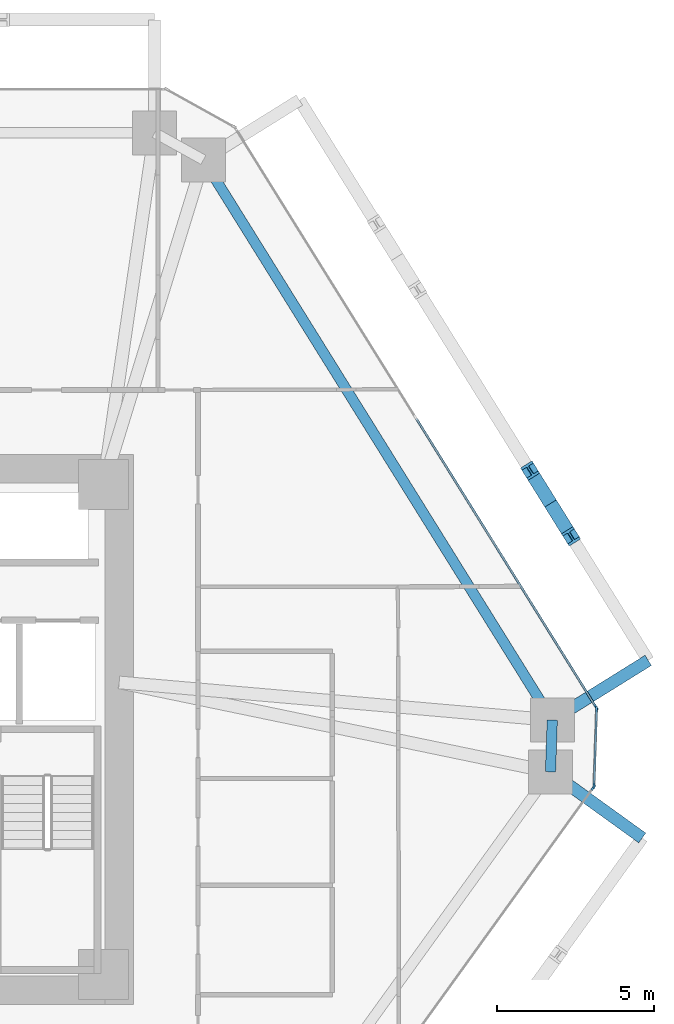
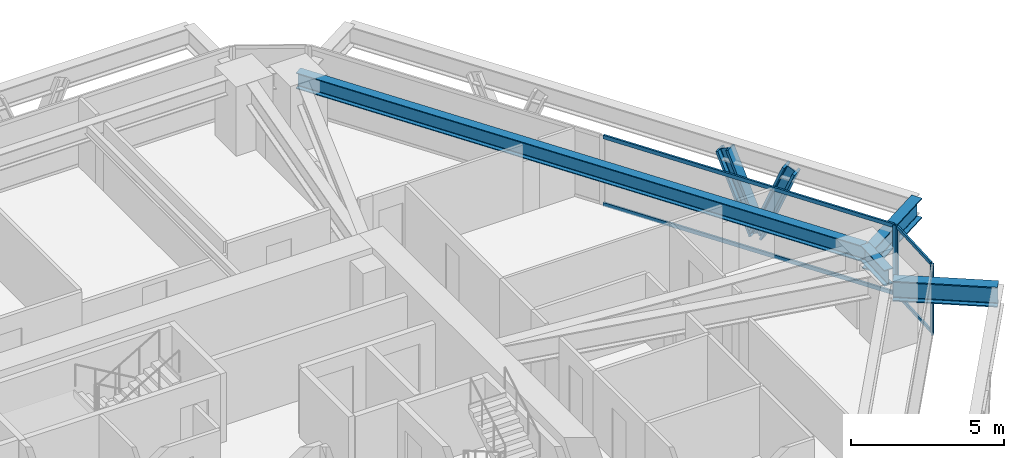
# One storey, part 6 of 15: 10 members, 4 beams, 3 elements without a shape of their own.
"""IFC4 building model written with IfcOpenShell, lengths in metres."""

from ifc_helpers import new_model, si_unit, direction, frame, origin, origin_2d, place, context, subcontext, project, spatial, rectangle, i_section, extrude, source, transform, mapped, material, layer, layer_set, material_profile, profile_set, type_object, type_shapes, element, aggregate, save


model = new_model("IFC4")

# Units and contexts
model_context = context("Model", 3, precision=1e-05, world=origin(), true_north=direction((0.0, 1.0)))
body_context = subcontext(model_context, "Body", "Model", "MODEL_VIEW")
ifc_project = project(units=[si_unit("LENGTHUNIT", "METRE"), si_unit("AREAUNIT", "SQUARE_METRE"), si_unit("VOLUMEUNIT", "CUBIC_METRE"), si_unit("PLANEANGLEUNIT", "RADIAN"), si_unit("MASSUNIT", "GRAM", prefix="KILO")], contexts=[model_context])

# Site, building, storey
site_placement = place(None, origin())
site = spatial("IfcSite", under=ifc_project, at=site_placement, CompositionType="ELEMENT")
building_placement = place(site_placement, origin())
building = spatial("IfcBuilding", under=site, at=building_placement, Name="Durnholm Broadcast Tower", CompositionType="ELEMENT")
storey_placement = place(building_placement, frame((0.0, 0.0, 75.300048828125)))
storey = spatial("IfcBuildingStorey", under=building, at=storey_placement, Name="L19", CompositionType="ELEMENT", Elevation=75.300048828125)

# Beams
ifc_material_1 = material(Name="Steel ASTM A992 Grade 50", Category="steel")
ifc_material_profile_1 = material_profile(ifc_material_1, i_section(OverallWidth=0.3291015625, OverallDepth=0.635009765625, WebThickness=0.017822265625, FlangeThickness=0.031005859375, FilletRadius=0.02783203125, at=origin_2d()), Name="W24X162")
ifc_profile_set_1 = profile_set([ifc_material_profile_1], Name="Steel ASTM A992 Grade 50")
beam_type_1 = type_object("IfcBeamType", Name="STL-SP-W24X162", PredefinedType="SPANDREL", material=ifc_profile_set_1)
shared_shape_1 = source(origin(), body_context, "Body", "SweptSolid", [
    extrude(i_section(OverallWidth=0.3291015625, OverallDepth=0.635009765625, WebThickness=0.017822265625, FlangeThickness=0.031005859375, FilletRadius=0.02783203125, at=origin_2d()), origin(), (0.0, 0.0, 1.0), 21.014404296875),
])
beam_1_placement = place(storey_placement, frame((12.982666015625, 18.138427734375, 2.427490234375), z_axis=(0.528595731543, -0.848873696491, 0.0), x_axis=(0.848873696491, 0.528595731543, 0.0)))
element("IfcBeam", 1, at=beam_1_placement, inside=storey, type_object=beam_type_1, Name="L19 perimeter spandrel girder 07", PredefinedType="SPANDREL", context=body_context, shape_type="MappedRepresentation", body=[
    mapped(shared_shape_1, transform((0.0, 0.0, 0.0), x_axis=(1.0, 0.0, 0.0), y_axis=(0.0, 1.0, 0.0), z_axis=(0.0, 0.0, 1.0), scale=1.0)),
])
shared_shape_2 = source(origin(), body_context, "Body", "SweptSolid", [
    extrude(i_section(OverallWidth=0.3291015625, OverallDepth=0.635009765625, WebThickness=0.017822265625, FlangeThickness=0.031005859375, FilletRadius=0.02783203125, at=origin_2d()), origin(), (0.0, 0.0, 1.0), 1.648193359375),
])
type_shapes(beam_type_1, [shared_shape_1, shared_shape_2])
beam_2_placement = place(storey_placement, frame((24.0908203125, 0.2998046875, 2.427490234375), z_axis=(-0.033921477804, -0.999424501072, 0.0), x_axis=(0.999424501072, -0.033921477804, 0.0)))
element("IfcBeam", 2, at=beam_2_placement, inside=storey, type_object=beam_type_1, Name="L19 perimeter spandrel girder 08", PredefinedType="SPANDREL", context=body_context, shape_type="MappedRepresentation", body=[
    mapped(shared_shape_2, transform((0.0, 0.0, 0.0), x_axis=(1.0, 0.0, 0.0), y_axis=(0.0, 1.0, 0.0), z_axis=(0.0, 0.0, 1.0), scale=1.0)),
])
ifc_material_profile_2 = material_profile(ifc_material_1, i_section(OverallWidth=0.385009765625, OverallDepth=0.802978515625, WebThickness=0.023681640625, FlangeThickness=0.0419921875, FilletRadius=0.032958984375, at=origin_2d()), Name="W30X261")
ifc_profile_set_2 = profile_set([ifc_material_profile_2], Name="Steel ASTM A992 Grade 50")
beam_type_2 = type_object("IfcBeamType", Name="BM-EXO-TIE", PredefinedType="USERDEFINED", material=ifc_profile_set_2)
shared_shape_3 = source(origin(), body_context, "Body", "SweptSolid", [
    extrude(i_section(OverallWidth=0.385009765625, OverallDepth=0.802978515625, WebThickness=0.023681640625, FlangeThickness=0.0419921875, FilletRadius=0.032958984375, at=origin_2d()), origin(), (0.0, 0.0, 1.0), 3.4560546875),
])
beam_3_placement = place(storey_placement, frame((24.212890625, 0.375732421875, 2.008544921875), z_axis=(0.848874183218, 0.528594949906, 0.0), x_axis=(-0.528594949906, 0.848874183218, 0.0)))
element("IfcBeam", 3, at=beam_3_placement, inside=storey, type_object=beam_type_2, Name="L19 exoskeleton stand-off tie bracket F3.1", ObjectType="GIRDER", PredefinedType="USERDEFINED", context=body_context, shape_type="MappedRepresentation", body=[
    mapped(shared_shape_3, transform((0.0, 0.0, 0.0), x_axis=(1.0, 0.0, 0.0), y_axis=(0.0, 1.0, 0.0), z_axis=(0.0, 0.0, 1.0), scale=1.0)),
])
shared_shape_4 = source(origin(), body_context, "Body", "SweptSolid", [
    extrude(i_section(OverallWidth=0.385009765625, OverallDepth=0.802978515625, WebThickness=0.023681640625, FlangeThickness=0.0419921875, FilletRadius=0.032958984375, at=origin_2d()), origin(), (0.0, 0.0, 1.0), 3.455810546875),
])
type_shapes(beam_type_2, [shared_shape_3, shared_shape_4])
beam_4_placement = place(storey_placement, frame((24.15185546875, -1.431396484375, 2.008544921875), z_axis=(0.811133512552, -0.584861030344, 0.0), x_axis=(0.584861030344, 0.811133512552, 0.0)))
element("IfcBeam", 4, at=beam_4_placement, inside=storey, type_object=beam_type_2, Name="L19 exoskeleton stand-off tie bracket F2.2", ObjectType="GIRDER", PredefinedType="USERDEFINED", context=body_context, shape_type="MappedRepresentation", body=[
    mapped(shared_shape_4, transform((0.0, 0.0, 0.0), x_axis=(1.0, 0.0, 0.0), y_axis=(0.0, 1.0, 0.0), z_axis=(0.0, 0.0, 1.0), scale=1.0)),
])

# Members
ifc_material_2 = material(Name="Steel ASTM A913 Grade 65", Category="steel")
ifc_material_profile_3 = material_profile(ifc_material_2, i_section(OverallWidth=0.43212890625, OverallDepth=0.497802734375, WebThickness=0.0556640625, FlangeThickness=0.0888671875, FilletRadius=0.030517578125, at=origin_2d()), Name="W14X500")
ifc_profile_set_3 = profile_set([ifc_material_profile_3], Name="Steel ASTM A913 Grade 65")
member_type_1 = type_object("IfcMemberType", Name="STL-DG-W14X500", PredefinedType="BRACE", material=ifc_profile_set_3)
shared_shape_5 = source(origin(), body_context, "Body", "SweptSolid", [
    extrude(i_section(OverallWidth=0.43212890625, OverallDepth=0.497802734375, WebThickness=0.0556640625, FlangeThickness=0.0888671875, FilletRadius=0.030517578125, at=origin_2d()), origin(), (0.0, 0.0, 1.0), 3.243896484375),
])
type_shapes(member_type_1, [shared_shape_5])
for number, where, z_axis, x_axis, name in (
    (5, (24.036376953125, 7.197509765625, -0.991455078125), (0.201102088214, -0.322877229954, 0.924828764958), (0.848819847179, 0.528682198523, 0.0), "L19 stand-off diagrid brace F3.D1.1"),
    (6, (24.036376953125, 7.197509765625, -0.991455078125), (-0.201029867597, 0.322882116058, 0.9248427604), (-0.848908635391, -0.528539618911, 0.0), "L19 stand-off diagrid brace F3.D1.2"),
):
    element("IfcMember", number, at=place(storey_placement, frame(where, z_axis=z_axis, x_axis=x_axis)), inside=storey, type_object=member_type_1, Name=name, PredefinedType="BRACE", context=body_context, shape_type="MappedRepresentation", body=[
        mapped(shared_shape_5, transform((0.0, 0.0, 0.0), x_axis=(1.0, 0.0, 0.0), y_axis=(0.0, 1.0, 0.0), z_axis=(0.0, 0.0, 1.0), scale=1.0)),
    ])

# Curtain wall, members
ifc_material_3 = material(Name="Aluminium and Solar Control IGU", Category="aluminium")
ifc_layer_1 = layer(ifc_material_3, 0.1650390625)
ifc_layer_set_1 = layer_set([ifc_layer_1], Name="Aluminium and Solar Control IGU")
curtain_wall_type_1 = type_object("IfcCurtainWallType", Name="CW-SYS-5", PredefinedType="NOTDEFINED", material=ifc_layer_set_1)
curtain_wall_1_placement = place(storey_placement, origin())
curtain_wall_1 = element("IfcCurtainWall", 7, at=curtain_wall_1_placement, inside=storey, type_object=curtain_wall_type_1, Name="L19 curtain wall CW-CORNER CW-L19-CRN-07", PredefinedType="NOTDEFINED")
ifc_material_4 = material(Name="Aluminium 6063-T6", Category="aluminium")
ifc_material_profile_4 = material_profile(ifc_material_4, rectangle(XDim=0.06494140625, YDim=0.1298828125, at=origin_2d()), Name="CWT65X130")
ifc_profile_set_4 = profile_set([ifc_material_profile_4], Name="Aluminium 6063-T6")
member_type_2 = type_object("IfcMemberType", Name="CW-SYS-5-TRN", PredefinedType="USERDEFINED", material=ifc_profile_set_4)
shared_shape_6 = source(origin(), body_context, "Body", "SweptSolid", [
    extrude(rectangle(XDim=0.06494140625, YDim=0.1298828125, at=origin_2d()), origin(), (0.0, 0.0, 1.0), 2.3701171875),
])
type_shapes(member_type_2, [shared_shape_6])
member_1_placement = place(storey_placement, frame((25.502197265625, 0.613037109375, 0.032470703125), z_axis=(-0.033788158898, -0.999429017148, 0.0), x_axis=(0.999429017148, -0.033788158898, 0.0)))
member_1 = element("IfcMember", 8, at=member_1_placement, type_object=member_type_2, Name="CW-CORNER transom 1.1", ObjectType="TRANSOM", PredefinedType="USERDEFINED", context=body_context, shape_type="MappedRepresentation", body=[
    mapped(shared_shape_6, transform((0.0, 0.0, 0.0), x_axis=(1.0, 0.0, 0.0), y_axis=(0.0, 1.0, 0.0), z_axis=(0.0, 0.0, 1.0), scale=1.0)),
])
member_2_placement = place(storey_placement, frame((25.502197265625, 0.613037109375, 2.7275390625), z_axis=(-0.033788158898, -0.999429017148, 0.0), x_axis=(0.999429017148, -0.033788158898, 0.0)))
member_2 = element("IfcMember", 9, at=member_2_placement, type_object=member_type_2, Name="CW-CORNER transom 1.2", ObjectType="TRANSOM", PredefinedType="USERDEFINED", context=body_context, shape_type="MappedRepresentation", body=[
    mapped(shared_shape_6, transform((0.0, 0.0, 0.0), x_axis=(1.0, 0.0, 0.0), y_axis=(0.0, 1.0, 0.0), z_axis=(0.0, 0.0, 1.0), scale=1.0)),
])

ifc_layer_2 = layer(ifc_material_3, 0.18994140625)
ifc_layer_set_2 = layer_set([ifc_layer_2], Name="Aluminium and Solar Control IGU")
curtain_wall_type_2 = type_object("IfcCurtainWallType", Name="CW-SYS-3", PredefinedType="NOTDEFINED", material=ifc_layer_set_2)
curtain_wall_2_placement = place(storey_placement, origin())
curtain_wall_2 = element("IfcCurtainWall", 10, at=curtain_wall_2_placement, inside=storey, type_object=curtain_wall_type_2, Name="L19 curtain wall CW-Z12-VIS CW-L19-F06", PredefinedType="NOTDEFINED")
ifc_material_profile_5 = material_profile(ifc_material_4, rectangle(XDim=0.070068359375, YDim=0.14990234375, at=origin_2d()), Name="CWT70X150")
ifc_profile_set_5 = profile_set([ifc_material_profile_5], Name="Aluminium 6063-T6")
member_type_3 = type_object("IfcMemberType", Name="CW-SYS-3-TRN", PredefinedType="USERDEFINED", material=ifc_profile_set_5)
shared_shape_7 = source(origin(), body_context, "Body", "SweptSolid", [
    extrude(rectangle(XDim=0.070068359375, YDim=0.14990234375, at=origin_2d()), origin(), (0.0, 0.0, 1.0), 10.796630859375),
])
type_shapes(member_type_3, [shared_shape_7])
member_3_placement = place(storey_placement, frame((19.760498046875, 9.902587890625, 0.034912109375), z_axis=(0.528575362968, -0.848886379714, 0.0), x_axis=(0.848886379714, 0.528575362968, 0.0)))
member_3 = element("IfcMember", 11, at=member_3_placement, type_object=member_type_3, Name="CW-Z12-VIS transom 2.1", ObjectType="TRANSOM", PredefinedType="USERDEFINED", context=body_context, shape_type="MappedRepresentation", body=[
    mapped(shared_shape_7, transform((0.0, 0.0, 0.0), x_axis=(1.0, 0.0, 0.0), y_axis=(0.0, 1.0, 0.0), z_axis=(0.0, 0.0, 1.0), scale=1.0)),
])
member_4_placement = place(storey_placement, frame((19.760498046875, 9.902587890625, 2.724853515625), z_axis=(0.528575362968, -0.848886379714, 0.0), x_axis=(0.848886379714, 0.528575362968, 0.0)))
member_4 = element("IfcMember", 12, at=member_4_placement, type_object=member_type_3, Name="CW-Z12-VIS transom 2.2", ObjectType="TRANSOM", PredefinedType="USERDEFINED", context=body_context, shape_type="MappedRepresentation", body=[
    mapped(shared_shape_7, transform((0.0, 0.0, 0.0), x_axis=(1.0, 0.0, 0.0), y_axis=(0.0, 1.0, 0.0), z_axis=(0.0, 0.0, 1.0), scale=1.0)),
])

# Member
ifc_material_profile_6 = material_profile(ifc_material_4, rectangle(XDim=0.06494140625, YDim=0.1650390625, at=origin_2d()), Name="CWM65X165")
ifc_profile_set_6 = profile_set([ifc_material_profile_6], Name="Aluminium 6063-T6")
member_type_4 = type_object("IfcMemberType", Name="CW-SYS-5-MUL", PredefinedType="MULLION", material=ifc_profile_set_6)
shared_shape_8 = source(origin(), body_context, "Body", "SweptSolid", [
    extrude(rectangle(XDim=0.06494140625, YDim=0.1650390625, at=origin_2d()), origin(), (0.0, 0.0, 1.0), 2.760009765625),
])
type_shapes(member_type_4, [shared_shape_8])
member_5_placement = place(storey_placement, frame((25.50341796875, 0.6455078125, 0.0), z_axis=(0.0, 0.0, 1.0), x_axis=(0.999427277772, -0.033839569233, 0.0)))
member_5 = element("IfcMember", 13, at=member_5_placement, type_object=member_type_4, Name="CW-CORNER mullion 1", PredefinedType="MULLION", context=body_context, shape_type="MappedRepresentation", body=[
    mapped(shared_shape_8, transform((0.0, 0.0, 0.0), x_axis=(1.0, 0.0, 0.0), y_axis=(0.0, 1.0, 0.0), z_axis=(0.0, 0.0, 1.0), scale=1.0)),
])

member_6_placement = place(storey_placement, frame((25.4208984375, -1.7880859375, 0.0), z_axis=(0.0, 0.0, 1.0), x_axis=(0.999427277772, -0.033839569233, 0.0)))
member_6 = element("IfcMember", 14, at=member_6_placement, type_object=member_type_4, Name="CW-CORNER mullion 2", PredefinedType="MULLION", context=body_context, shape_type="MappedRepresentation", body=[
    mapped(shared_shape_8, transform((0.0, 0.0, 0.0), x_axis=(1.0, 0.0, 0.0), y_axis=(0.0, 1.0, 0.0), z_axis=(0.0, 0.0, 1.0), scale=1.0)),
])

aggregate(curtain_wall_1, [member_5, member_6, member_1, member_2])

ifc_material_profile_7 = material_profile(ifc_material_4, rectangle(XDim=0.070068359375, YDim=0.18994140625, at=origin_2d()), Name="CWM70X190")
ifc_profile_set_7 = profile_set([ifc_material_profile_7], Name="Aluminium 6063-T6")
member_type_5 = type_object("IfcMemberType", Name="CW-SYS-3-MUL", PredefinedType="MULLION", material=ifc_profile_set_7)
shared_shape_9 = source(origin(), body_context, "Body", "SweptSolid", [
    extrude(rectangle(XDim=0.070068359375, YDim=0.18994140625, at=origin_2d()), origin(), (0.0, 0.0, 1.0), 2.760009765625),
])
type_shapes(member_type_5, [shared_shape_9])
member_7_placement = place(storey_placement, frame((25.48583984375, 0.707763671875, 0.0), z_axis=(0.0, 0.0, 1.0), x_axis=(0.848875785503, 0.528592376777, 0.0)))
member_7 = element("IfcMember", 15, at=member_7_placement, type_object=member_type_5, Name="CW-Z12-VIS mullion 3", PredefinedType="MULLION", context=body_context, shape_type="MappedRepresentation", body=[
    mapped(shared_shape_9, transform((0.0, 0.0, 0.0), x_axis=(1.0, 0.0, 0.0), y_axis=(0.0, 1.0, 0.0), z_axis=(0.0, 0.0, 1.0), scale=1.0)),
])

aggregate(curtain_wall_2, [member_7, member_3, member_4])

# Curtain wall, member
curtain_wall_3_placement = place(storey_placement, origin())
curtain_wall_3 = element("IfcCurtainWall", 16, at=curtain_wall_3_placement, inside=storey, type_object=curtain_wall_type_2, Name="L19 curtain wall CW-Z12-VIS CW-L19-F08", PredefinedType="NOTDEFINED")
member_8_placement = place(storey_placement, frame((25.3994140625, -1.848876953125, 0.0), z_axis=(0.0, 0.0, 1.0), x_axis=(0.81116057493, -0.584823496176, 0.0)))
member_8 = element("IfcMember", 17, at=member_8_placement, type_object=member_type_5, Name="CW-Z12-VIS mullion 1", PredefinedType="MULLION", context=body_context, shape_type="MappedRepresentation", body=[
    mapped(shared_shape_9, transform((0.0, 0.0, 0.0), x_axis=(1.0, 0.0, 0.0), y_axis=(0.0, 1.0, 0.0), z_axis=(0.0, 0.0, 1.0), scale=1.0)),
])
aggregate(curtain_wall_3, [member_8])

save(model, "model.ifc")
